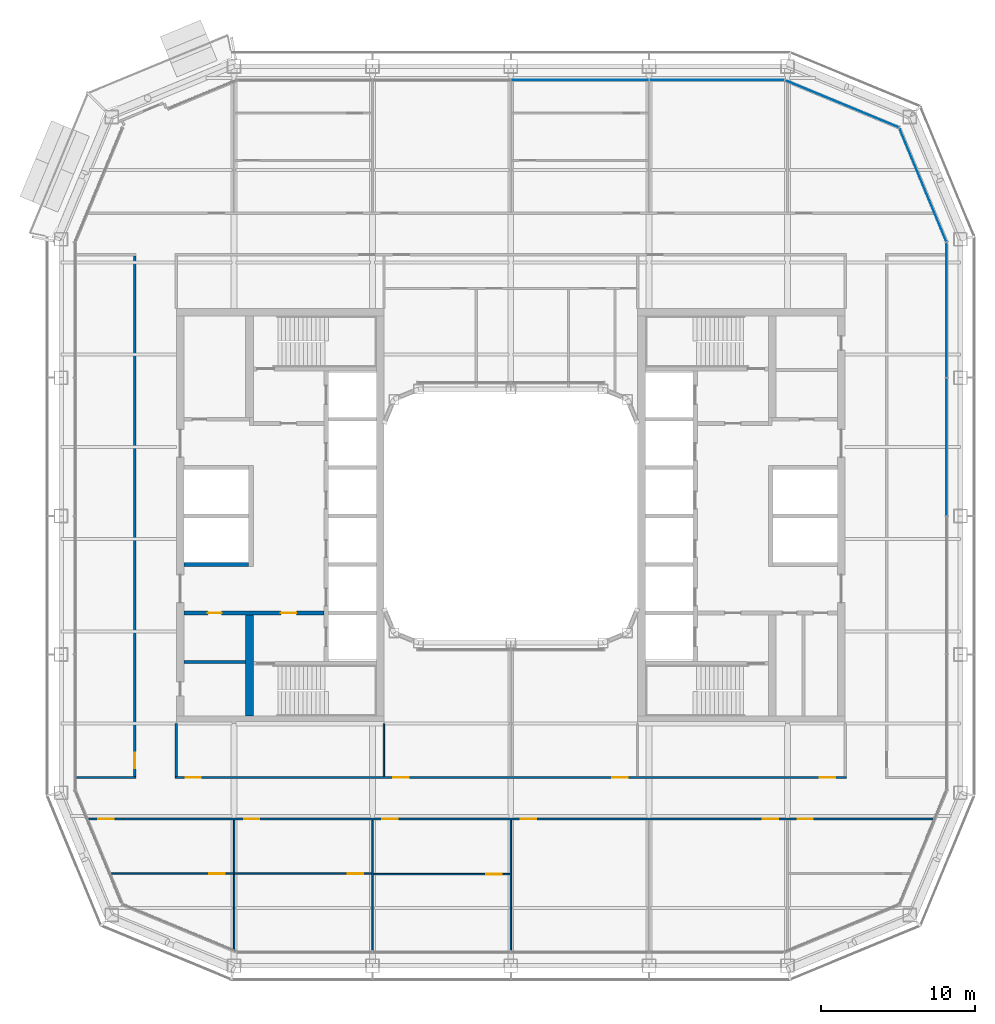
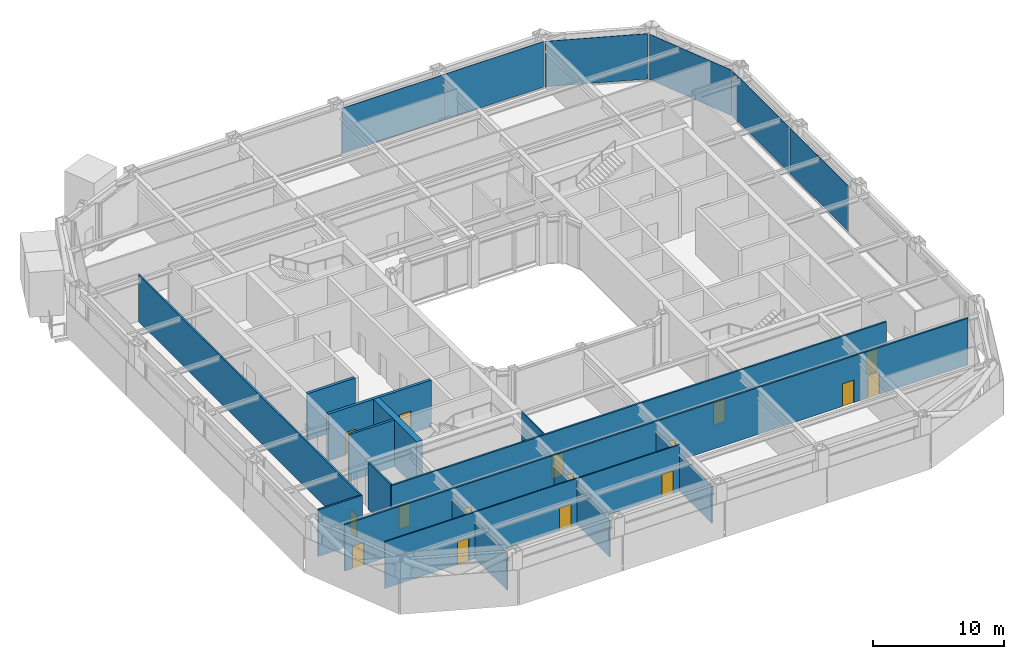
# One storey, part 11 of 23: 16 doors, 16 walls, 6 plates, 16 openings, 4 elements without a shape of their own.
"""IFC4 building model written with IfcOpenShell, lengths in metres."""

from ifc_helpers import new_model, si_unit, direction, frame, frame_2d, origin, origin_2d, place, context, subcontext, project, spatial, rectangle, extrude, material, layer, layer_set, type_object, element, fill, aggregate, save


model = new_model("IFC4")

# Units and contexts
model_context = context("Model", 3, precision=1e-05, world=origin(), true_north=direction((0.0, 1.0)))
body_context = subcontext(model_context, "Body", "Model", "MODEL_VIEW")
ifc_project = project(units=[si_unit("LENGTHUNIT", "METRE"), si_unit("AREAUNIT", "SQUARE_METRE"), si_unit("VOLUMEUNIT", "CUBIC_METRE"), si_unit("PLANEANGLEUNIT", "RADIAN"), si_unit("MASSUNIT", "GRAM", prefix="KILO")], contexts=[model_context])

# Site, building, storey
site_placement = place(None, origin())
site = spatial("IfcSite", under=ifc_project, at=site_placement, CompositionType="ELEMENT")
building_placement = place(site_placement, origin())
building = spatial("IfcBuilding", under=site, at=building_placement, Name="Siwar Civic Tower", CompositionType="ELEMENT")
storey_placement = place(building_placement, frame((0.0, 0.0, 154.199951171875)))
storey = spatial("IfcBuildingStorey", under=building, at=storey_placement, Name="L33", CompositionType="ELEMENT", Elevation=154.199951171875)

# Curtain wall, plates
ifc_material_1 = material(Name="Aluminium and glass", Category="aluminium")
ifc_layer_1 = layer(ifc_material_1, 0.199951171875)
ifc_layer_set_1 = layer_set([ifc_layer_1], Name="Aluminium and glass")
curtain_wall_type_1 = type_object("IfcCurtainWallType", Name="ENV-CW-B", PredefinedType="NOTDEFINED", material=ifc_layer_set_1)
curtain_wall_1_placement = place(storey_placement, origin())
curtain_wall_1 = element("IfcCurtainWall", 1, at=curtain_wall_1_placement, inside=storey, type_object=curtain_wall_type_1, Name="Curtain wall B E", PredefinedType="NOTDEFINED")
ifc_material_2 = material(Name="Glass clear laminated", Category="glass")
ifc_layer_2 = layer(ifc_material_2, 0.033935546875)
ifc_layer_set_2 = layer_set([ifc_layer_2], Name="Glass clear laminated")
plate_type_1 = type_object("IfcPlateType", Name="ENV-PANEL-B", PredefinedType="CURTAIN_PANEL", material=ifc_layer_set_2)
plate_1_placement = place(storey_placement, frame((28.35009765625, 4.5, 0.10986328125), z_axis=(0.0, 0.0, 1.0), x_axis=(0.0, 1.0, 0.0)))
plate_1 = element("IfcPlate", 2, at=plate_1_placement, type_object=plate_type_1, Name="Curtain panel B E 3", PredefinedType="CURTAIN_PANEL", context=body_context, shape_type="SweptSolid", body=[
    extrude(rectangle(XDim=8.93505859375, YDim=0.033935546875, at=origin_2d()), origin(), (0.0, 0.0, 1.0), 4.239990234375),
])
plate_2_placement = place(storey_placement, frame((28.35009765625, 13.369873046875, 0.10986328125), z_axis=(0.0, 0.0, 1.0), x_axis=(0.0, 1.0, 0.0)))
plate_2 = element("IfcPlate", 3, at=plate_2_placement, type_object=plate_type_1, Name="Curtain panel B E 4", PredefinedType="CURTAIN_PANEL", context=body_context, shape_type="SweptSolid", body=[
    extrude(rectangle(XDim=8.6748046875, YDim=0.033935546875, at=origin_2d()), origin(), (0.0, 0.0, 1.0), 4.239990234375),
])
aggregate(curtain_wall_1, [plate_1, plate_2])

curtain_wall_2_placement = place(storey_placement, origin())
curtain_wall_2 = element("IfcCurtainWall", 4, at=curtain_wall_2_placement, inside=storey, type_object=curtain_wall_type_1, Name="Curtain wall B N", PredefinedType="NOTDEFINED")
plate_3_placement = place(storey_placement, frame((13.410400390625, 28.35009765625, 0.10986328125), z_axis=(0.0, 0.0, 1.0), x_axis=(-1.0, 0.0, 0.0)))
plate_3 = element("IfcPlate", 5, at=plate_3_placement, type_object=plate_type_1, Name="Curtain panel B N 1", PredefinedType="CURTAIN_PANEL", context=body_context, shape_type="SweptSolid", body=[
    extrude(rectangle(XDim=8.755859375, YDim=0.033935546875, at=origin_2d()), origin(), (0.0, 0.0, 1.0), 4.239990234375),
])
plate_4_placement = place(storey_placement, frame((4.5, 28.35009765625, 0.10986328125), z_axis=(0.0, 0.0, 1.0), x_axis=(-1.0, 0.0, 0.0)))
plate_4 = element("IfcPlate", 6, at=plate_4_placement, type_object=plate_type_1, Name="Curtain panel B N 2", PredefinedType="CURTAIN_PANEL", context=body_context, shape_type="SweptSolid", body=[
    extrude(rectangle(XDim=8.93505859375, YDim=0.033935546875, at=origin_2d()), origin(), (0.0, 0.0, 1.0), 4.239990234375),
])
aggregate(curtain_wall_2, [plate_3, plate_4])

# Curtain wall, plate
ifc_material_3 = material(Name="Aluminium clad insulated panel", Category="aluminium")
ifc_layer_3 = layer(ifc_material_3, 0.199951171875)
ifc_layer_set_3 = layer_set([ifc_layer_3], Name="Aluminium clad insulated panel")
curtain_wall_type_2 = type_object("IfcCurtainWallType", Name="ENV-CW-BX", PredefinedType="NOTDEFINED", material=ifc_layer_set_3)
curtain_wall_3_placement = place(storey_placement, origin())
curtain_wall_3 = element("IfcCurtainWall", 7, at=curtain_wall_3_placement, inside=storey, type_object=curtain_wall_type_2, Name="Curtain wall B NE1", PredefinedType="NOTDEFINED")
ifc_material_4 = material(Name="Aluminium clad insulated panel", Category="aluminium")
ifc_layer_4 = layer(ifc_material_4, 0.033935546875)
ifc_layer_set_4 = layer_set([ifc_layer_4], Name="Aluminium clad insulated panel")
plate_type_2 = type_object("IfcPlateType", Name="ENV-PANEL-BX", PredefinedType="CURTAIN_PANEL", material=ifc_layer_set_4)
plate_5_placement = place(storey_placement, frame((26.823486328125, 21.506103515625, 0.10986328125), z_axis=(0.0, 0.0, 1.0), x_axis=(-0.382683432365, 0.923879532511, 0.0)))
plate_5 = element("IfcPlate", 8, at=plate_5_placement, type_object=plate_type_2, Name="Curtain panel B NE1 1", PredefinedType="CURTAIN_PANEL", context=body_context, shape_type="SweptSolid", body=[
    extrude(rectangle(XDim=7.912353515625, YDim=0.033935546875, at=origin_2d()), origin(), (0.0, 0.0, 1.0), 4.239990234375),
])
aggregate(curtain_wall_3, [plate_5])

curtain_wall_4_placement = place(storey_placement, origin())
curtain_wall_4 = element("IfcCurtainWall", 9, at=curtain_wall_4_placement, inside=storey, type_object=curtain_wall_type_2, Name="Curtain wall B NE2", PredefinedType="NOTDEFINED")
plate_6_placement = place(storey_placement, frame((21.5810546875, 26.79248046875, 0.10986328125), z_axis=(0.0, 0.0, 1.0), x_axis=(-0.923879532511, 0.382683432365, 0.0)))
plate_6 = element("IfcPlate", 10, at=plate_6_placement, type_object=plate_type_2, Name="Curtain panel B NE2 1", PredefinedType="CURTAIN_PANEL", context=body_context, shape_type="SweptSolid", body=[
    extrude(rectangle(XDim=7.912353515625, YDim=0.033935546875, at=origin_2d()), origin(), (0.0, 0.0, 1.0), 4.239990234375),
])
aggregate(curtain_wall_4, [plate_6])

# Wall
ifc_material_5 = material(Name="Gypsum board on steel studs", Category="steel")
ifc_layer_5 = layer(ifc_material_5, 0.199951171875)
ifc_layer_set_5 = layer_set([ifc_layer_5], Name="Gypsum board on steel studs")
wall_type_1 = type_object("IfcWallType", Name="CORE-PARTITION-200", PredefinedType="PARTITIONING", material=ifc_layer_set_5)
wall_1_placement = place(storey_placement, frame((-17.25, -9.5, 0.0), z_axis=(0.0, 0.0, 1.0), x_axis=(-1.0, 0.0, 0.0)))
element("IfcWall", 11, at=wall_1_placement, inside=storey, type_object=wall_type_1, Name="Core partition W", PredefinedType="PARTITIONING", context=body_context, shape_type="SweptSolid", body=[
    extrude(rectangle(XDim=4.0, YDim=0.199951171875, at=frame_2d((2.0, 0.0))), origin(), (0.0, 0.0, 1.0), 4.35009765625),
])

# Wall, openings, doors
ifc_material_6 = material(Name="Concrete C60/75", Category="concrete")
ifc_layer_6 = layer(ifc_material_6, 0.25)
ifc_layer_set_6 = layer_set([ifc_layer_6], Name="Concrete C60/75")
wall_type_2 = type_object("IfcWallType", Name="CORE-WALL-RC250", PredefinedType="SHEAR", material=ifc_layer_set_6)
wall_2_placement = place(storey_placement, frame((-12.14990234375, -6.300048828125, 0.0), z_axis=(0.0, 0.0, 1.0), x_axis=(-1.0, 0.0, 0.0)))
wall_2 = element("IfcWall", 12, at=wall_2_placement, inside=storey, type_object=wall_type_2, Name="Core wall W", PredefinedType="SHEAR", context=body_context, shape_type="SweptSolid", body=[
    extrude(rectangle(XDim=9.10009765625, YDim=0.25, at=frame_2d((4.550048828125, 0.0))), origin(), (0.0, 0.0, 1.0), 4.35009765625),
])
opening_1_placement = place(wall_2_placement, frame((1.800048828125, 0.0, 0.0)))
opening_1 = element("IfcOpeningElement", 13, at=opening_1_placement, cuts=wall_2, Name="Opening L33-CW02", PredefinedType="OPENING", context=body_context, shape_type="SweptSolid", body=[
    extrude(rectangle(XDim=1.0, YDim=2.10009765625, at=frame_2d((0.5, 1.050048828125))), frame((0.0, 0.135009765625, 0.0), z_axis=(0.0, -1.0, 0.0), x_axis=(1.0, 0.0, 0.0)), (0.0, 0.0, 1.0), 0.27001953125),
])
opening_2_placement = place(wall_2_placement, frame((6.64990234375, 0.0, 0.0)))
opening_2 = element("IfcOpeningElement", 14, at=opening_2_placement, cuts=wall_2, Name="Opening L33-CW14", PredefinedType="OPENING", context=body_context, shape_type="SweptSolid", body=[
    extrude(rectangle(XDim=0.89990234375, YDim=2.10009765625, at=frame_2d((0.449951171875, 1.050048828125))), frame((0.0, 0.135009765625, 0.0), z_axis=(0.0, -1.0, 0.0), x_axis=(1.0, 0.0, 0.0)), (0.0, 0.0, 1.0), 0.27001953125),
])
ifc_material_7 = material(Name="Steel door leaf", Category="steel")
door_type_1 = type_object("IfcDoorType", Name="CORE-DOOR-FD30S", OperationType="SINGLE_SWING_LEFT", PredefinedType="DOOR", material=ifc_material_7)
door_1_placement = place(opening_1_placement, origin())
door_1 = element("IfcDoor", 15, at=door_1_placement, inside=storey, type_object=door_type_1, Name="Service lobby door L33-CW02", OperationType="SINGLE_SWING_RIGHT", OverallHeight=2.10009765625, OverallWidth=1.0, PredefinedType="DOOR", context=body_context, shape_type="SweptSolid", body=[
    extrude(rectangle(XDim=1.0, YDim=2.10009765625, at=frame_2d((0.5, 1.050048828125))), frame((0.0, 0.02490234375, 0.0), z_axis=(0.0, -1.0, 0.0), x_axis=(1.0, 0.0, 0.0)), (0.0, 0.0, 1.0), 0.050048828125),
])
fill(opening_1, door_1)
ifc_material_8 = material(Name="Steel door leaf", Category="steel")
door_type_2 = type_object("IfcDoorType", Name="CORE-DOOR-ROOM", OperationType="SINGLE_SWING_LEFT", PredefinedType="DOOR", material=ifc_material_8)
door_2_placement = place(opening_2_placement, origin())
door_2 = element("IfcDoor", 16, at=door_2_placement, inside=storey, type_object=door_type_2, Name="Core room door L33-CW14", OperationType="SINGLE_SWING_RIGHT", OverallHeight=2.10009765625, OverallWidth=0.89990234375, PredefinedType="DOOR", context=body_context, shape_type="SweptSolid", body=[
    extrude(rectangle(XDim=0.89990234375, YDim=2.10009765625, at=frame_2d((0.449951171875, 1.050048828125))), frame((0.0, 0.02490234375, 0.0), z_axis=(0.0, -1.0, 0.0), x_axis=(1.0, 0.0, 0.0)), (0.0, 0.0, 1.0), 0.050048828125),
])
fill(opening_2, door_2)

# Walls
wall_3_placement = place(storey_placement, frame((-17.050048828125, -3.14990234375, 0.0), z_axis=(0.0, 0.0, 1.0), x_axis=(-1.0, 0.0, 0.0)))
element("IfcWall", 17, at=wall_3_placement, inside=storey, type_object=wall_type_2, Name="Core wall W", PredefinedType="SHEAR", context=body_context, shape_type="SweptSolid", body=[
    extrude(rectangle(XDim=4.199951171875, YDim=0.25, at=frame_2d((2.10009765625, 0.0))), origin(), (0.0, 0.0, 1.0), 4.35009765625),
])
ifc_material_9 = material(Name="Concrete C60/75", Category="concrete")
ifc_layer_7 = layer(ifc_material_9, 0.5)
ifc_layer_set_7 = layer_set([ifc_layer_7], Name="Concrete C60/75")
wall_type_3 = type_object("IfcWallType", Name="CORE-WALL-RC500", PredefinedType="SHEAR", material=ifc_layer_set_7)
wall_4_placement = place(storey_placement, frame((-17.0, -13.0, 0.0), z_axis=(0.0, 0.0, 1.0), x_axis=(0.0, 1.0, 0.0)))
element("IfcWall", 18, at=wall_4_placement, inside=storey, type_object=wall_type_3, Name="Core wall W", PredefinedType="SHEAR", context=body_context, shape_type="SweptSolid", body=[
    extrude(rectangle(XDim=6.574951171875, YDim=0.5, at=frame_2d((3.28759765625, 0.0))), origin(), (0.0, 0.0, 1.0), 4.35009765625),
])

# Wall, openings, doors
ifc_material_10 = material(Name="Gypsum board on steel studs", Category="steel")
ifc_layer_8 = layer(ifc_material_10, 0.14990234375)
ifc_layer_set_8 = layer_set([ifc_layer_8], Name="Gypsum board on steel studs")
wall_type_4 = type_object("IfcWallType", Name="CORRIDOR PARTITION 150 EI 30", PredefinedType="PARTITIONING", material=ifc_layer_set_8)
wall_5_placement = place(storey_placement, frame((-27.47412109375, -19.699951171875, 0.0), z_axis=(0.0, 0.0, 1.0), x_axis=(1.0, 0.0, 0.0)))
wall_5 = element("IfcWall", 19, at=wall_5_placement, inside=storey, type_object=wall_type_4, Name="L33/wall/P04", PredefinedType="PARTITIONING", context=body_context, shape_type="SweptSolid", body=[
    extrude(rectangle(XDim=54.9482421875, YDim=0.14990234375, at=frame_2d((27.47412109375, 0.0))), origin(), (0.0, 0.0, 1.0), 4.35009765625),
])
opening_3_placement = place(wall_5_placement, frame((10.1240234375, 0.0, 0.0)))
opening_3 = element("IfcOpeningElement", 20, at=opening_3_placement, cuts=wall_5, Name="Opening D1", PredefinedType="OPENING", context=body_context, shape_type="SweptSolid", body=[
    extrude(rectangle(XDim=1.0, YDim=2.10009765625, at=frame_2d((0.5, 1.050048828125))), frame((0.0, 0.0849609375, 0.0), z_axis=(0.0, -1.0, 0.0), x_axis=(1.0, 0.0, 0.0)), (0.0, 0.0, 1.0), 0.169921875),
])
opening_4_placement = place(wall_5_placement, frame((19.1240234375, 0.0, 0.0)))
opening_4 = element("IfcOpeningElement", 21, at=opening_4_placement, cuts=wall_5, Name="Opening D1", PredefinedType="OPENING", context=body_context, shape_type="SweptSolid", body=[
    extrude(rectangle(XDim=1.0, YDim=2.10009765625, at=frame_2d((0.5, 1.050048828125))), frame((0.0, 0.0849609375, 0.0), z_axis=(0.0, -1.0, 0.0), x_axis=(1.0, 0.0, 0.0)), (0.0, 0.0, 1.0), 0.169921875),
])
opening_5_placement = place(wall_5_placement, frame((28.1240234375, 0.0, 0.0)))
opening_5 = element("IfcOpeningElement", 22, at=opening_5_placement, cuts=wall_5, Name="Opening D1", PredefinedType="OPENING", context=body_context, shape_type="SweptSolid", body=[
    extrude(rectangle(XDim=1.0, YDim=2.10009765625, at=frame_2d((0.5, 1.050048828125))), frame((0.0, 0.0849609375, 0.0), z_axis=(0.0, -1.0, 0.0), x_axis=(1.0, 0.0, 0.0)), (0.0, 0.0, 1.0), 0.169921875),
])
opening_6_placement = place(wall_5_placement, frame((43.8740234375, 0.0, 0.0)))
opening_6 = element("IfcOpeningElement", 23, at=opening_6_placement, cuts=wall_5, Name="Opening D1", PredefinedType="OPENING", context=body_context, shape_type="SweptSolid", body=[
    extrude(rectangle(XDim=1.0, YDim=2.10009765625, at=frame_2d((0.5, 1.050048828125))), frame((0.0, 0.0849609375, 0.0), z_axis=(0.0, -1.0, 0.0), x_axis=(1.0, 0.0, 0.0)), (0.0, 0.0, 1.0), 0.169921875),
])
opening_7_placement = place(wall_5_placement, frame((0.64990234375, 0.0, 0.0)))
opening_7 = element("IfcOpeningElement", 24, at=opening_7_placement, cuts=wall_5, Name="Opening D1", PredefinedType="OPENING", context=body_context, shape_type="SweptSolid", body=[
    extrude(rectangle(XDim=1.0, YDim=2.10009765625, at=frame_2d((0.5, 1.050048828125))), frame((0.0, 0.0849609375, 0.0), z_axis=(0.0, -1.0, 0.0), x_axis=(1.0, 0.0, 0.0)), (0.0, 0.0, 1.0), 0.169921875),
])
opening_8_placement = place(wall_5_placement, frame((46.1240234375, 0.0, 0.0)))
opening_8 = element("IfcOpeningElement", 25, at=opening_8_placement, cuts=wall_5, Name="Opening D1", PredefinedType="OPENING", context=body_context, shape_type="SweptSolid", body=[
    extrude(rectangle(XDim=1.0, YDim=2.10009765625, at=frame_2d((0.5, 1.050048828125))), frame((0.0, 0.0849609375, 0.0), z_axis=(0.0, -1.0, 0.0), x_axis=(1.0, 0.0, 0.0)), (0.0, 0.0, 1.0), 0.169921875),
])
ifc_material_11 = material(Name="Timber, painted", Category="wood")
door_type_3 = type_object("IfcDoorType", Name="DOOR 1000 X 2100 FD30", OperationType="SINGLE_SWING_LEFT", PredefinedType="DOOR", material=ifc_material_11)
door_3_placement = place(opening_3_placement, origin())
door_3 = element("IfcDoor", 26, at=door_3_placement, inside=storey, type_object=door_type_3, Name="L33-D09", OperationType="SINGLE_SWING_LEFT", OverallHeight=2.10009765625, OverallWidth=1.0, PredefinedType="DOOR", context=body_context, shape_type="SweptSolid", body=[
    extrude(rectangle(XDim=1.0, YDim=2.10009765625, at=frame_2d((0.5, 1.050048828125))), frame((0.0, 0.02490234375, 0.0), z_axis=(0.0, -1.0, 0.0), x_axis=(1.0, 0.0, 0.0)), (0.0, 0.0, 1.0), 0.050048828125),
])
fill(opening_3, door_3)
door_4_placement = place(opening_4_placement, origin())
door_4 = element("IfcDoor", 27, at=door_4_placement, inside=storey, type_object=door_type_3, Name="L33-D11", OperationType="SINGLE_SWING_LEFT", OverallHeight=2.10009765625, OverallWidth=1.0, PredefinedType="DOOR", context=body_context, shape_type="SweptSolid", body=[
    extrude(rectangle(XDim=1.0, YDim=2.10009765625, at=frame_2d((0.5, 1.050048828125))), frame((0.0, 0.02490234375, 0.0), z_axis=(0.0, -1.0, 0.0), x_axis=(1.0, 0.0, 0.0)), (0.0, 0.0, 1.0), 0.050048828125),
])
fill(opening_4, door_4)
door_5_placement = place(opening_5_placement, origin())
door_5 = element("IfcDoor", 28, at=door_5_placement, inside=storey, type_object=door_type_3, Name="L33-D13", OperationType="SINGLE_SWING_LEFT", OverallHeight=2.10009765625, OverallWidth=1.0, PredefinedType="DOOR", context=body_context, shape_type="SweptSolid", body=[
    extrude(rectangle(XDim=1.0, YDim=2.10009765625, at=frame_2d((0.5, 1.050048828125))), frame((0.0, 0.02490234375, 0.0), z_axis=(0.0, -1.0, 0.0), x_axis=(1.0, 0.0, 0.0)), (0.0, 0.0, 1.0), 0.050048828125),
])
fill(opening_5, door_5)
door_6_placement = place(opening_6_placement, origin())
door_6 = element("IfcDoor", 29, at=door_6_placement, inside=storey, type_object=door_type_3, Name="L33-D14", OperationType="SINGLE_SWING_RIGHT", OverallHeight=2.10009765625, OverallWidth=1.0, PredefinedType="DOOR", context=body_context, shape_type="SweptSolid", body=[
    extrude(rectangle(XDim=1.0, YDim=2.10009765625, at=frame_2d((0.5, 1.050048828125))), frame((0.0, 0.02490234375, 0.0), z_axis=(0.0, -1.0, 0.0), x_axis=(1.0, 0.0, 0.0)), (0.0, 0.0, 1.0), 0.050048828125),
])
fill(opening_6, door_6)
door_7_placement = place(opening_7_placement, origin())
door_7 = element("IfcDoor", 30, at=door_7_placement, inside=storey, type_object=door_type_3, Name="L33-D17", OperationType="SINGLE_SWING_LEFT", OverallHeight=2.10009765625, OverallWidth=1.0, PredefinedType="DOOR", context=body_context, shape_type="SweptSolid", body=[
    extrude(rectangle(XDim=1.0, YDim=2.10009765625, at=frame_2d((0.5, 1.050048828125))), frame((0.0, 0.02490234375, 0.0), z_axis=(0.0, -1.0, 0.0), x_axis=(1.0, 0.0, 0.0)), (0.0, 0.0, 1.0), 0.050048828125),
])
fill(opening_7, door_7)
door_8_placement = place(opening_8_placement, origin())
door_8 = element("IfcDoor", 31, at=door_8_placement, inside=storey, type_object=door_type_3, Name="L33-D19", OperationType="SINGLE_SWING_LEFT", OverallHeight=2.10009765625, OverallWidth=1.0, PredefinedType="DOOR", context=body_context, shape_type="SweptSolid", body=[
    extrude(rectangle(XDim=1.0, YDim=2.10009765625, at=frame_2d((0.5, 1.050048828125))), frame((0.0, 0.02490234375, 0.0), z_axis=(0.0, -1.0, 0.0), x_axis=(1.0, 0.0, 0.0)), (0.0, 0.0, 1.0), 0.050048828125),
])
fill(opening_8, door_8)

# Wall
wall_6_placement = place(storey_placement, frame((-28.260009765625, -17.0, 0.0), z_axis=(0.0, 0.0, 1.0), x_axis=(1.0, 0.0, 0.0)))
element("IfcWall", 32, at=wall_6_placement, inside=storey, type_object=wall_type_4, Name="L33/wall/P05", PredefinedType="PARTITIONING", context=body_context, shape_type="SweptSolid", body=[
    extrude(rectangle(XDim=3.885009765625, YDim=0.14990234375, at=frame_2d((1.9423828125, 0.0))), origin(), (0.0, 0.0, 1.0), 4.35009765625),
])

# Wall, openings, doors
wall_7_placement = place(storey_placement, frame((-21.824951171875, -17.0, 0.0), z_axis=(0.0, 0.0, 1.0), x_axis=(1.0, 0.0, 0.0)))
wall_7 = element("IfcWall", 33, at=wall_7_placement, inside=storey, type_object=wall_type_4, Name="L33/wall/P06", PredefinedType="PARTITIONING", context=body_context, shape_type="SweptSolid", body=[
    extrude(rectangle(XDim=43.64990234375, YDim=0.14990234375, at=frame_2d((21.824951171875, 0.0))), origin(), (0.0, 0.0, 1.0), 4.35009765625),
])
opening_9_placement = place(wall_7_placement, frame((14.175048828125, 0.0, 0.0)))
opening_9 = element("IfcOpeningElement", 34, at=opening_9_placement, cuts=wall_7, Name="Opening D1", PredefinedType="OPENING", context=body_context, shape_type="SweptSolid", body=[
    extrude(rectangle(XDim=1.0, YDim=2.10009765625, at=frame_2d((0.5, 1.050048828125))), frame((0.0, 0.0849609375, 0.0), z_axis=(0.0, -1.0, 0.0), x_axis=(1.0, 0.0, 0.0)), (0.0, 0.0, 1.0), 0.169921875),
])
opening_10_placement = place(wall_7_placement, frame((28.425048828125, 0.0, 0.0)))
opening_10 = element("IfcOpeningElement", 35, at=opening_10_placement, cuts=wall_7, Name="Opening D1", PredefinedType="OPENING", context=body_context, shape_type="SweptSolid", body=[
    extrude(rectangle(XDim=1.0, YDim=2.10009765625, at=frame_2d((0.5, 1.050048828125))), frame((0.0, 0.0849609375, 0.0), z_axis=(0.0, -1.0, 0.0), x_axis=(1.0, 0.0, 0.0)), (0.0, 0.0, 1.0), 0.169921875),
])
opening_11_placement = place(wall_7_placement, frame((0.675048828125, 0.0, 0.0)))
opening_11 = element("IfcOpeningElement", 36, at=opening_11_placement, cuts=wall_7, Name="Opening D1", PredefinedType="OPENING", context=body_context, shape_type="SweptSolid", body=[
    extrude(rectangle(XDim=1.0, YDim=2.10009765625, at=frame_2d((0.5, 1.050048828125))), frame((0.0, 0.0849609375, 0.0), z_axis=(0.0, -1.0, 0.0), x_axis=(1.0, 0.0, 0.0)), (0.0, 0.0, 1.0), 0.169921875),
])
opening_12_placement = place(wall_7_placement, frame((41.925048828125, 0.0, 0.0)))
opening_12 = element("IfcOpeningElement", 37, at=opening_12_placement, cuts=wall_7, Name="Opening D1", PredefinedType="OPENING", context=body_context, shape_type="SweptSolid", body=[
    extrude(rectangle(XDim=1.0, YDim=2.10009765625, at=frame_2d((0.5, 1.050048828125))), frame((0.0, 0.0849609375, 0.0), z_axis=(0.0, -1.0, 0.0), x_axis=(1.0, 0.0, 0.0)), (0.0, 0.0, 1.0), 0.169921875),
])
door_9_placement = place(opening_9_placement, origin())
door_9 = element("IfcDoor", 38, at=door_9_placement, inside=storey, type_object=door_type_3, Name="L33-D26", OperationType="SINGLE_SWING_RIGHT", OverallHeight=2.10009765625, OverallWidth=1.0, PredefinedType="DOOR", context=body_context, shape_type="SweptSolid", body=[
    extrude(rectangle(XDim=1.0, YDim=2.10009765625, at=frame_2d((0.5, 1.050048828125))), frame((0.0, 0.02490234375, 0.0), z_axis=(0.0, -1.0, 0.0), x_axis=(1.0, 0.0, 0.0)), (0.0, 0.0, 1.0), 0.050048828125),
])
fill(opening_9, door_9)
door_10_placement = place(opening_10_placement, origin())
door_10 = element("IfcDoor", 39, at=door_10_placement, inside=storey, type_object=door_type_3, Name="L33-D27", OperationType="SINGLE_SWING_LEFT", OverallHeight=2.10009765625, OverallWidth=1.0, PredefinedType="DOOR", context=body_context, shape_type="SweptSolid", body=[
    extrude(rectangle(XDim=1.0, YDim=2.10009765625, at=frame_2d((0.5, 1.050048828125))), frame((0.0, 0.02490234375, 0.0), z_axis=(0.0, -1.0, 0.0), x_axis=(1.0, 0.0, 0.0)), (0.0, 0.0, 1.0), 0.050048828125),
])
fill(opening_10, door_10)
door_11_placement = place(opening_11_placement, origin())
door_11 = element("IfcDoor", 40, at=door_11_placement, inside=storey, type_object=door_type_3, Name="L33-D30", OperationType="SINGLE_SWING_RIGHT", OverallHeight=2.10009765625, OverallWidth=1.0, PredefinedType="DOOR", context=body_context, shape_type="SweptSolid", body=[
    extrude(rectangle(XDim=1.0, YDim=2.10009765625, at=frame_2d((0.5, 1.050048828125))), frame((0.0, 0.02490234375, 0.0), z_axis=(0.0, -1.0, 0.0), x_axis=(1.0, 0.0, 0.0)), (0.0, 0.0, 1.0), 0.050048828125),
])
fill(opening_11, door_11)
door_12_placement = place(opening_12_placement, origin())
door_12 = element("IfcDoor", 41, at=door_12_placement, inside=storey, type_object=door_type_3, Name="L33-D31", OperationType="SINGLE_SWING_LEFT", OverallHeight=2.10009765625, OverallWidth=1.0, PredefinedType="DOOR", context=body_context, shape_type="SweptSolid", body=[
    extrude(rectangle(XDim=1.0, YDim=2.10009765625, at=frame_2d((0.5, 1.050048828125))), frame((0.0, 0.02490234375, 0.0), z_axis=(0.0, -1.0, 0.0), x_axis=(1.0, 0.0, 0.0)), (0.0, 0.0, 1.0), 0.050048828125),
])
fill(opening_12, door_12)

# Wall, opening, door
wall_8_placement = place(storey_placement, frame((-24.449951171875, -16.925048828125, 0.0), z_axis=(0.0, 0.0, 1.0), x_axis=(0.0, 1.0, 0.0)))
wall_8 = element("IfcWall", 42, at=wall_8_placement, inside=storey, type_object=wall_type_4, Name="L33/wall/P18", PredefinedType="PARTITIONING", context=body_context, shape_type="SweptSolid", body=[
    extrude(rectangle(XDim=33.85009765625, YDim=0.14990234375, at=frame_2d((16.925048828125, 0.0))), origin(), (0.0, 0.0, 1.0), 4.35009765625),
])
opening_13_placement = place(wall_8_placement, frame((0.52490234375, 0.0, 0.0)))
opening_13 = element("IfcOpeningElement", 43, at=opening_13_placement, cuts=wall_8, Name="Opening D1", PredefinedType="OPENING", context=body_context, shape_type="SweptSolid", body=[
    extrude(rectangle(XDim=1.0, YDim=2.10009765625, at=frame_2d((0.5, 1.050048828125))), frame((0.0, 0.0849609375, 0.0), z_axis=(0.0, -1.0, 0.0), x_axis=(1.0, 0.0, 0.0)), (0.0, 0.0, 1.0), 0.169921875),
])
door_13_placement = place(opening_13_placement, origin())
door_13 = element("IfcDoor", 44, at=door_13_placement, inside=storey, type_object=door_type_3, Name="L33-D32", OperationType="SINGLE_SWING_RIGHT", OverallHeight=2.10009765625, OverallWidth=1.0, PredefinedType="DOOR", context=body_context, shape_type="SweptSolid", body=[
    extrude(rectangle(XDim=1.0, YDim=2.10009765625, at=frame_2d((0.5, 1.050048828125))), frame((0.0, 0.02490234375, 0.0), z_axis=(0.0, -1.0, 0.0), x_axis=(1.0, 0.0, 0.0)), (0.0, 0.0, 1.0), 0.050048828125),
])
fill(opening_13, door_13)

# Wall
wall_9_placement = place(storey_placement, frame((-21.75, -16.925048828125, 0.0), z_axis=(0.0, 0.0, 1.0), x_axis=(0.0, 1.0, 0.0)))
element("IfcWall", 45, at=wall_9_placement, inside=storey, type_object=wall_type_4, Name="L33/wall/P19", PredefinedType="PARTITIONING", context=body_context, shape_type="SweptSolid", body=[
    extrude(rectangle(XDim=3.425048828125, YDim=0.14990234375, at=frame_2d((1.71240234375, 0.0))), origin(), (0.0, 0.0, 1.0), 4.35009765625),
])

# Wall, opening, door
ifc_material_12 = material(Name="Gypsum board on steel studs", Category="steel")
ifc_layer_9 = layer(ifc_material_12, 0.10009765625)
ifc_layer_set_9 = layer_set([ifc_layer_9], Name="Gypsum board on steel studs")
wall_type_5 = type_object("IfcWallType", Name="PARTITION 100 GYPSUM", PredefinedType="PARTITIONING", material=ifc_layer_set_9)
wall_10_placement = place(storey_placement, frame((-8.949951171875, -23.294921875, 0.0), z_axis=(0.0, 0.0, 1.0), x_axis=(1.0, 0.0, 0.0)))
wall_10 = element("IfcWall", 46, at=wall_10_placement, inside=storey, type_object=wall_type_5, Name="L33/wall/P01", PredefinedType="PARTITIONING", context=body_context, shape_type="SweptSolid", body=[
    extrude(rectangle(XDim=8.89990234375, YDim=0.10009765625, at=frame_2d((4.449951171875, 0.0))), origin(), (0.0, 0.0, 1.0), 4.35009765625),
])
opening_14_placement = place(wall_10_placement, frame((7.35009765625, 0.0, 0.0)))
opening_14 = element("IfcOpeningElement", 47, at=opening_14_placement, cuts=wall_10, Name="Opening D2", PredefinedType="OPENING", context=body_context, shape_type="SweptSolid", body=[
    extrude(rectangle(XDim=1.0, YDim=2.10009765625, at=frame_2d((0.5, 1.050048828125))), frame((0.0, 0.06005859375, 0.0), z_axis=(0.0, -1.0, 0.0), x_axis=(1.0, 0.0, 0.0)), (0.0, 0.0, 1.0), 0.1201171875),
])
ifc_material_13 = material(Name="Timber, painted", Category="wood")
door_type_4 = type_object("IfcDoorType", Name="DOOR 1000 X 2100", OperationType="SINGLE_SWING_LEFT", PredefinedType="DOOR", material=ifc_material_13)
door_14_placement = place(opening_14_placement, origin())
door_14 = element("IfcDoor", 48, at=door_14_placement, inside=storey, type_object=door_type_4, Name="L33-D12", OperationType="SINGLE_SWING_RIGHT", OverallHeight=2.10009765625, OverallWidth=1.0, PredefinedType="DOOR", context=body_context, shape_type="SweptSolid", body=[
    extrude(rectangle(XDim=1.0, YDim=2.10009765625, at=frame_2d((0.5, 1.050048828125))), frame((0.0, 0.02490234375, 0.0), z_axis=(0.0, -1.0, 0.0), x_axis=(1.0, 0.0, 0.0)), (0.0, 0.0, 1.0), 0.050048828125),
])
fill(opening_14, door_14)

# Wall, openings, doors
wall_11_placement = place(storey_placement, frame((-25.9990234375, -23.260986328125, 0.0), z_axis=(0.0, 0.0, 1.0), x_axis=(1.0, 0.0, 0.0)))
wall_11 = element("IfcWall", 49, at=wall_11_placement, inside=storey, type_object=wall_type_5, Name="L33/wall/P02", PredefinedType="PARTITIONING", context=body_context, shape_type="SweptSolid", body=[
    extrude(rectangle(XDim=16.948974609375, YDim=0.10009765625, at=frame_2d((8.474609375, 0.0))), origin(), (0.0, 0.0, 1.0), 4.35009765625),
])
opening_15_placement = place(wall_11_placement, frame((15.39892578125, 0.0, 0.0)))
opening_15 = element("IfcOpeningElement", 50, at=opening_15_placement, cuts=wall_11, Name="Opening D2", PredefinedType="OPENING", context=body_context, shape_type="SweptSolid", body=[
    extrude(rectangle(XDim=1.0, YDim=2.10009765625, at=frame_2d((0.5, 1.050048828125))), frame((0.0, 0.06005859375, 0.0), z_axis=(0.0, -1.0, 0.0), x_axis=(1.0, 0.0, 0.0)), (0.0, 0.0, 1.0), 0.1201171875),
])
opening_16_placement = place(wall_11_placement, frame((6.39990234375, 0.0, 0.0)))
opening_16 = element("IfcOpeningElement", 51, at=opening_16_placement, cuts=wall_11, Name="Opening D2", PredefinedType="OPENING", context=body_context, shape_type="SweptSolid", body=[
    extrude(rectangle(XDim=1.0, YDim=2.10009765625, at=frame_2d((0.5, 1.050048828125))), frame((0.0, 0.06005859375, 0.0), z_axis=(0.0, -1.0, 0.0), x_axis=(1.0, 0.0, 0.0)), (0.0, 0.0, 1.0), 0.1201171875),
])
door_15_placement = place(opening_15_placement, origin())
door_15 = element("IfcDoor", 52, at=door_15_placement, inside=storey, type_object=door_type_4, Name="L33-D10", OperationType="SINGLE_SWING_RIGHT", OverallHeight=2.10009765625, OverallWidth=1.0, PredefinedType="DOOR", context=body_context, shape_type="SweptSolid", body=[
    extrude(rectangle(XDim=1.0, YDim=2.10009765625, at=frame_2d((0.5, 1.050048828125))), frame((0.0, 0.02490234375, 0.0), z_axis=(0.0, -1.0, 0.0), x_axis=(1.0, 0.0, 0.0)), (0.0, 0.0, 1.0), 0.050048828125),
])
fill(opening_15, door_15)
door_16_placement = place(opening_16_placement, origin())
door_16 = element("IfcDoor", 53, at=door_16_placement, inside=storey, type_object=door_type_4, Name="L33-D18", OperationType="SINGLE_SWING_RIGHT", OverallHeight=2.10009765625, OverallWidth=1.0, PredefinedType="DOOR", context=body_context, shape_type="SweptSolid", body=[
    extrude(rectangle(XDim=1.0, YDim=2.10009765625, at=frame_2d((0.5, 1.050048828125))), frame((0.0, 0.02490234375, 0.0), z_axis=(0.0, -1.0, 0.0), x_axis=(1.0, 0.0, 0.0)), (0.0, 0.0, 1.0), 0.050048828125),
])
fill(opening_16, door_16)

# Walls
wall_12_placement = place(storey_placement, frame((-18.0, -28.177978515625, 0.0), z_axis=(0.0, 0.0, 1.0), x_axis=(0.0, 1.0, 0.0)))
element("IfcWall", 54, at=wall_12_placement, inside=storey, type_object=wall_type_5, Name="L33/wall/P21", PredefinedType="PARTITIONING", context=body_context, shape_type="SweptSolid", body=[
    extrude(rectangle(XDim=4.866943359375, YDim=0.10009765625, at=frame_2d((2.43359375, 0.0))), origin(), (0.0, 0.0, 1.0), 3.449951171875),
])
wall_13_placement = place(storey_placement, frame((-18.0, -23.2109375, 0.0), z_axis=(0.0, 0.0, 1.0), x_axis=(0.0, 1.0, 0.0)))
element("IfcWall", 55, at=wall_13_placement, inside=storey, type_object=wall_type_5, Name="L33/wall/P22", PredefinedType="PARTITIONING", context=body_context, shape_type="SweptSolid", body=[
    extrude(rectangle(XDim=3.43603515625, YDim=0.10009765625, at=frame_2d((1.718017578125, 0.0))), origin(), (0.0, 0.0, 1.0), 3.449951171875),
])
wall_14_placement = place(storey_placement, frame((-9.0, -28.260009765625, 0.0), z_axis=(0.0, 0.0, 1.0), x_axis=(0.0, 1.0, 0.0)))
element("IfcWall", 56, at=wall_14_placement, inside=storey, type_object=wall_type_5, Name="L33/wall/P24", PredefinedType="PARTITIONING", context=body_context, shape_type="SweptSolid", body=[
    extrude(rectangle(XDim=8.485107421875, YDim=0.10009765625, at=frame_2d((4.24267578125, 0.0))), origin(), (0.0, 0.0, 1.0), 3.449951171875),
])
wall_15_placement = place(storey_placement, frame((-8.25, -16.925048828125, 0.0), z_axis=(0.0, 0.0, 1.0), x_axis=(0.0, 1.0, 0.0)))
element("IfcWall", 57, at=wall_15_placement, inside=storey, type_object=wall_type_5, Name="L33/wall/P26", PredefinedType="PARTITIONING", context=body_context, shape_type="SweptSolid", body=[
    extrude(rectangle(XDim=3.425048828125, YDim=0.10009765625, at=frame_2d((1.71240234375, 0.0))), origin(), (0.0, 0.0, 1.0), 4.35009765625),
])
wall_16_placement = place(storey_placement, frame((0.0, -28.260009765625, 0.0), z_axis=(0.0, 0.0, 1.0), x_axis=(0.0, 1.0, 0.0)))
element("IfcWall", 58, at=wall_16_placement, inside=storey, type_object=wall_type_5, Name="L33/wall/P29", PredefinedType="PARTITIONING", context=body_context, shape_type="SweptSolid", body=[
    extrude(rectangle(XDim=8.485107421875, YDim=0.10009765625, at=frame_2d((4.24267578125, 0.0))), origin(), (0.0, 0.0, 1.0), 3.449951171875),
])

save(model, "model.ifc")
